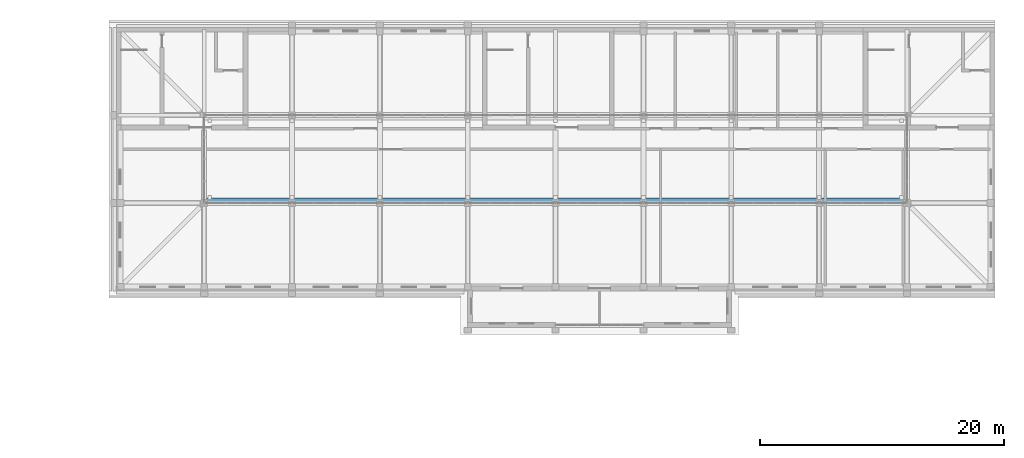
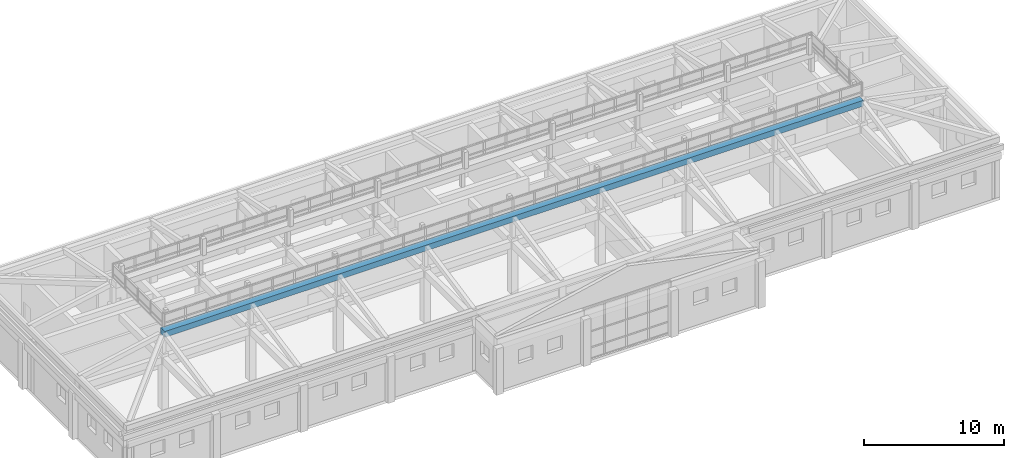
# One storey, part 16 of 48: 1 beam.
"""IFC4 building model written with IfcOpenShell, lengths in metres."""

import ifcopenshell
import ifcopenshell.guid

model = None  # the IFC model being written
_history = None  # IfcOwnerHistory: only IFC2X3 demands one
_inside = {}  # id of a spatial element -> (the spatial element, [elements in it])
_under = {}  # id of a project, library or spatial element -> (it, [spatial elements below it])
_declared = {}  # id of a project -> (the project, [libraries it declares])
_typed = {}  # id of a type object -> (the type object, [elements of that type])
_made_of = {}  # id of a material, layer set ... -> (it, [elements and type objects made of it])


def new_model(schema):
    """Start an empty IFC model of exactly this schema.

    Asked for "IFC4X3", IfcOpenShell would pick the latest addendum, in which some entities
    have other attributes; the version numbers below select the first issue.
    IFC2X3 requires an IfcOwnerHistory on every rooted entity: one is made here for all.
    """
    global model, _history
    if schema == "IFC4X3":
        model = ifcopenshell.file(schema_version=(4, 3, 0, 0))
    else:
        model = ifcopenshell.file(schema=schema)
    _inside.clear()
    _under.clear()
    _declared.clear()
    _typed.clear()
    _made_of.clear()
    _history = None
    if model.schema == "IFC2X3":
        org = make("IfcOrganization", Name="unknown")
        user = make(
            "IfcPersonAndOrganization",
            ThePerson=make("IfcPerson", FamilyName="unknown"),
            TheOrganization=org,
        )
        app = make(
            "IfcApplication",
            ApplicationDeveloper=org,
            Version="unknown",
            ApplicationFullName="unknown",
            ApplicationIdentifier="unknown",
        )
        _history = make(
            "IfcOwnerHistory",
            OwningUser=user,
            OwningApplication=app,
            ChangeAction="ADDED",
            CreationDate=0,
        )
    return model


def make(cls, **values):
    """One entity of the class cls with the attributes given. An attribute that is None is left unset."""
    return model.create_entity(
        cls, **{name: value for name, value in values.items() if value is not None}
    )


def rooted(cls, **values):
    """An entity with a GlobalId (a new one), such as an element, a storey or a relation."""
    return make(cls, GlobalId=ifcopenshell.guid.new(), OwnerHistory=_history, **values)


def si_unit(unit_type, name, prefix=None):
    """IfcSIUnit, for example si_unit("LENGTHUNIT", "METRE", prefix="MILLI")."""
    return make("IfcSIUnit", UnitType=unit_type, Prefix=prefix, Name=name)


def assignment(units):
    """IfcUnitAssignment: the units of a project."""
    return None if units is None else make("IfcUnitAssignment", Units=units)


def point(xyz):
    """IfcCartesianPoint."""
    return None if xyz is None else make("IfcCartesianPoint", Coordinates=xyz)


def direction(xyz):
    """IfcDirection."""
    return None if xyz is None else make("IfcDirection", DirectionRatios=xyz)


def frame(location, z_axis=None, x_axis=None):
    """IfcAxis2Placement3D, a coordinate frame: its origin and axes. An axis left out is left unset."""
    return make(
        "IfcAxis2Placement3D",
        Location=point(location),
        Axis=direction(z_axis),
        RefDirection=direction(x_axis),
    )


def frame_2d(location, x_axis=None):
    """IfcAxis2Placement2D, a coordinate frame in the plane: its origin and x axis."""
    return make(
        "IfcAxis2Placement2D", Location=point(location), RefDirection=direction(x_axis)
    )


def origin():
    """The frame at (0, 0, 0) with its axes left unset."""
    return frame((0.0, 0.0, 0.0))


def origin_2d():
    """The frame at (0, 0) in the plane with its x axis left unset."""
    return frame_2d((0.0, 0.0))


def place(relative_to, where):
    """IfcLocalPlacement: puts the frame where relative to a parent placement (None: the world)."""
    return make(
        "IfcLocalPlacement", PlacementRelTo=relative_to, RelativePlacement=where
    )


def context(
    kind, dimensions, precision=None, world=None, true_north=None, identifier=None
):
    """IfcGeometricRepresentationContext, for example the 3D "Model" context."""
    return make(
        "IfcGeometricRepresentationContext",
        ContextIdentifier=identifier,
        ContextType=kind,
        CoordinateSpaceDimension=dimensions,
        Precision=precision,
        WorldCoordinateSystem=world,
        TrueNorth=true_north,
    )


def subcontext(parent, identifier, kind, view, scale=None):
    """IfcGeometricRepresentationSubContext, for example "Body" below "Model"."""
    return make(
        "IfcGeometricRepresentationSubContext",
        ContextIdentifier=identifier,
        ContextType=kind,
        ParentContext=parent,
        TargetScale=scale,
        TargetView=view,
    )


def project(units=None, contexts=None):
    """IfcProject with its units and contexts."""
    return rooted(
        "IfcProject",
        Name="project",
        RepresentationContexts=contexts,
        UnitsInContext=assignment(units),
    )


def spatial(cls, under=None, at=None, **own):
    """A site, building, storey or space (cls), placed at a placement, below another one or the project."""
    s = rooted(cls, ObjectPlacement=at, **own)
    if under is not None:
        _under.setdefault(under.id(), (under, []))[1].append(s)
    return s


def profile(cls, at=None, kind="AREA", **sizes):
    """A parametric profile (cls). Its sizes go by their IFC names, for example OverallWidth=200.0."""
    return make(cls, ProfileType=kind, Position=at, **sizes)


def rectangle(**sizes):
    """IfcRectangleProfileDef."""
    return profile("IfcRectangleProfileDef", **sizes)


def extrude(swept, where, along, depth):
    """IfcExtrudedAreaSolid: the profile swept, set in the frame where, extruded along a direction by depth."""
    return make(
        "IfcExtrudedAreaSolid",
        SweptArea=swept,
        Position=where,
        ExtrudedDirection=direction(along),
        Depth=depth,
    )


def shape(context_of_items, identifier, shape_type, items):
    """IfcShapeRepresentation: the items that make up one representation, for example the "Body"."""
    return make(
        "IfcShapeRepresentation",
        ContextOfItems=context_of_items,
        RepresentationIdentifier=identifier,
        RepresentationType=shape_type,
        Items=items,
    )


def material(Name=None, Category=None):
    """IfcMaterial."""
    return make("IfcMaterial", Name=Name, Category=Category)


def material_profile(
    of_material, cross_section, Name=None, Category=None, Priority=None
):
    """IfcMaterialProfile: a cross section and its material."""
    return make(
        "IfcMaterialProfile",
        Name=Name,
        Material=of_material,
        Profile=cross_section,
        Priority=Priority,
        Category=Category,
    )


def profile_set(profiles, Name=None, composite=None):
    """IfcMaterialProfileSet."""
    return make(
        "IfcMaterialProfileSet",
        Name=Name,
        MaterialProfiles=profiles,
        CompositeProfile=composite,
    )


def made_of(thing, what):
    """Note that an element or type object is made of a material, layer set ...; save() writes the relation."""
    if what is not None:
        _made_of.setdefault(what.id(), (what, []))[1].append(thing)
    return thing


def type_object(cls, material=None, **own):
    """A type object (cls), such as IfcWallType, which elements share."""
    return made_of(rooted(cls, **own), material)


def element(
    cls,
    number,
    at=None,
    inside=None,
    cuts=None,
    type_object=None,
    material=None,
    context=None,
    identifier="Body",
    shape_type=None,
    held_by="IfcProductDefinitionShape",
    body=None,
    shapes=None,
    **own,
):
    """One element of the class cls, such as IfcWall. Its Tag is "e" and its number.

    at: its placement. inside: the storey or other place that contains it. cuts: it is an
    opening in that element (IfcRelVoidsElement). A single representation is given by context,
    identifier, shape_type and body (its items); several are given by shapes. held_by: the class
    of the entity that holds the representations. save() writes the other relations.
    """
    e = rooted(cls, Tag="e%d" % number, ObjectPlacement=at, **own)
    if body is not None:
        shapes = [shape(context, identifier, shape_type, body)]
    if shapes is not None:
        e.Representation = make(held_by, Representations=shapes)
    if inside is not None:
        _inside.setdefault(inside.id(), (inside, []))[1].append(e)
    if cuts is not None:
        rooted(
            "IfcRelVoidsElement", RelatingBuildingElement=cuts, RelatedOpeningElement=e
        )
    if type_object is not None:
        _typed.setdefault(type_object.id(), (type_object, []))[1].append(e)
    return made_of(e, material)


def aggregate(whole, parts):
    """IfcRelAggregates: a whole, such as a stair, and the parts it consists of."""
    return rooted("IfcRelAggregates", RelatingObject=whole, RelatedObjects=parts)


def save(model, path):
    """Write the relations noted so far, then the file.

    IfcRelAggregates (storeys below a building ...), IfcRelContainedInSpatialStructure (elements
    in a storey), IfcRelDefinesByType, IfcRelAssociatesMaterial and IfcRelDeclares: one each for
    every whole, place, type object, material and project.
    """
    for whole, parts in _under.values():
        aggregate(whole, parts)
    for where, things in _inside.values():
        rooted(
            "IfcRelContainedInSpatialStructure",
            RelatedElements=things,
            RelatingStructure=where,
        )
    for kind, things in _typed.values():
        rooted("IfcRelDefinesByType", RelatedObjects=things, RelatingType=kind)
    for what, things in _made_of.values():
        rooted("IfcRelAssociatesMaterial", RelatedObjects=things, RelatingMaterial=what)
    for by, libraries in _declared.values():
        rooted("IfcRelDeclares", RelatingContext=by, RelatedDefinitions=libraries)
    model.write(path)


model = new_model("IFC4")

# Units and contexts
model_context = context("Model", 3, precision=1e-05, world=origin(), true_north=direction((0.0, 1.0)))
body_context = subcontext(model_context, "Body", "Model", "MODEL_VIEW")
ifc_project = project(units=[si_unit("LENGTHUNIT", "METRE"), si_unit("AREAUNIT", "SQUARE_METRE"), si_unit("VOLUMEUNIT", "CUBIC_METRE"), si_unit("PLANEANGLEUNIT", "RADIAN"), si_unit("MASSUNIT", "GRAM", prefix="KILO")], contexts=[model_context])

# Site, building, storey
site_placement = place(None, origin())
site = spatial("IfcSite", under=ifc_project, at=site_placement, CompositionType="ELEMENT")
building_placement = place(site_placement, origin())
building = spatial("IfcBuilding", under=site, at=building_placement, Name="Alderwick Market Hall", CompositionType="ELEMENT")
storey_placement = place(building_placement, frame((0.0, 0.0, 14.39990234375)))
storey = spatial("IfcBuildingStorey", under=building, at=storey_placement, Name="L02", CompositionType="ELEMENT", Elevation=14.39990234375)

# Beam
ifc_material = material(Name="Concrete 5000 psi (f'c 35 MPa)", Category="concrete")
ifc_material_profile = material_profile(ifc_material, rectangle(XDim=0.60009765625, YDim=0.5, at=origin_2d()), Name="RC 600x500")
ifc_profile_set = profile_set([ifc_material_profile], Name="Concrete 5000 psi (f'c 35 MPa)")
beam_type = type_object("IfcBeamType", Name="F Ridge Girder RC 600x500", PredefinedType="BEAM", material=ifc_profile_set)
beam_placement = place(storey_placement, frame((165.60009765625, 136.89990234375, 6.4501953125), z_axis=(1.0, 0.0, 0.0), x_axis=(0.0, 1.0, 0.0)))
element("IfcBeam", 1, at=beam_placement, inside=storey, type_object=beam_type, Name="F.ridge.L02.s", PredefinedType="BEAM", context=body_context, shape_type="SweptSolid", body=[
    extrude(rectangle(XDim=0.60009765625, YDim=0.5, at=origin_2d()), origin(), (0.0, 0.0, 1.0), 57.599853515625),
])

save(model, "model.ifc")
